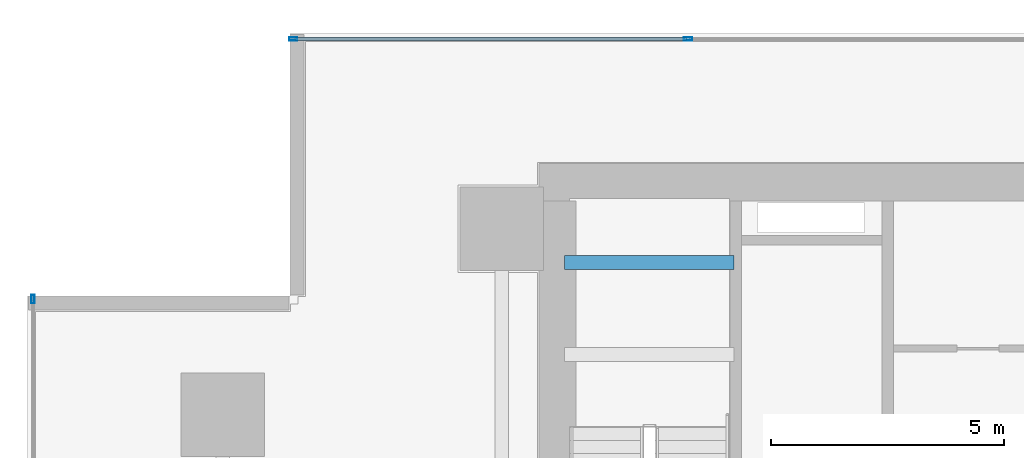
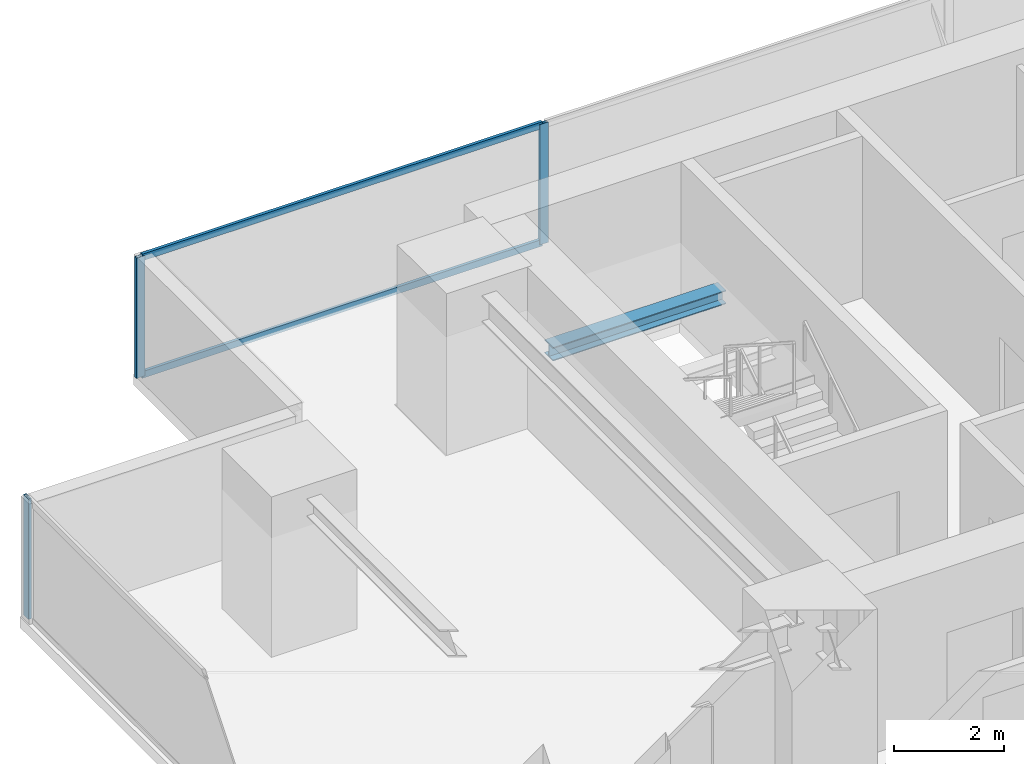
# One storey, part 18 of 33: 5 members, 1 beam, 2 elements without a shape of their own.
"""IFC4 building model written with IfcOpenShell, lengths in metres."""

from ifc_helpers import new_model, si_unit, direction, frame, origin, origin_2d, place, context, subcontext, project, spatial, hollow_rectangle, i_section, extrude, source, transform, mapped, material, layer, layer_set, material_profile, profile_set, type_object, element, aggregate, save


model = new_model("IFC4")

# Units and contexts
model_context = context("Model", 3, precision=1e-05, world=origin(), true_north=direction((0.0, 1.0)))
body_context = subcontext(model_context, "Body", "Model", "MODEL_VIEW")
ifc_project = project(units=[si_unit("LENGTHUNIT", "METRE"), si_unit("AREAUNIT", "SQUARE_METRE"), si_unit("VOLUMEUNIT", "CUBIC_METRE"), si_unit("PLANEANGLEUNIT", "RADIAN"), si_unit("MASSUNIT", "GRAM", prefix="KILO")], contexts=[model_context])

# Site, building, storey
site_placement = place(None, origin())
site = spatial("IfcSite", under=ifc_project, at=site_placement, CompositionType="ELEMENT")
building_placement = place(site_placement, origin())
building = spatial("IfcBuilding", under=site, at=building_placement, Name="Sumidabori Civic Tower", CompositionType="ELEMENT")
storey_placement = place(building_placement, frame((0.0, 0.0, 66.800048828125)))
storey = spatial("IfcBuildingStorey", under=building, at=storey_placement, Name="L17", CompositionType="ELEMENT", Elevation=66.800048828125)

# Beam
ifc_material_1 = material(Name="Steel SN490", Category="steel")
ifc_material_profile_1 = material_profile(ifc_material_1, i_section(OverallWidth=0.300048828125, OverallDepth=0.300048828125, WebThickness=0.010986328125, FlangeThickness=0.01904296875, at=origin_2d()), Name="HE 300 B")
ifc_profile_set_1 = profile_set([ifc_material_profile_1], Name="Steel SN490")
beam_type = type_object("IfcBeamType", Name="BM-LDG-300", PredefinedType="BEAM", material=ifc_profile_set_1)
shared_shape_1 = source(origin(), body_context, "Body", "SweptSolid", [
    extrude(i_section(OverallWidth=0.300048828125, OverallDepth=0.300048828125, WebThickness=0.010986328125, FlangeThickness=0.01904296875, at=origin_2d()), origin(), (0.0, 0.0, 1.0), 3.64990234375),
])
beam_placement = place(storey_placement, frame((-15.449951171875, 22.069580078125, 1.449951171875), z_axis=(1.0, 0.0, 0.0), x_axis=(0.0, 1.0, 0.0)))
element("IfcBeam", 1, at=beam_placement, inside=storey, type_object=beam_type, Name="Stair ST-1 Landing Trimmer Beam L17-1B", PredefinedType="BEAM", context=body_context, shape_type="MappedRepresentation", body=[
    mapped(shared_shape_1, transform((0.0, 0.0, 0.0), x_axis=(1.0, 0.0, 0.0), y_axis=(0.0, 1.0, 0.0), z_axis=(0.0, 0.0, 1.0), scale=1.0)),
])

# Curtain wall, members
ifc_material_2 = material(Name="Anodised Bronze Aluminium AW-6063-T6", Category="aluminium")
ifc_layer = layer(ifc_material_2, 0.179931640625, Name="Anodised Bronze Aluminium AW-6063-T6")
ifc_layer_set = layer_set([ifc_layer], Name="Anodised Bronze Aluminium AW-6063-T6")
curtain_wall_type = type_object("IfcCurtainWallType", Name="CW-SYS-2", PredefinedType="NOTDEFINED", material=ifc_layer_set)
curtain_wall_1_placement = place(storey_placement, origin())
curtain_wall_1 = element("IfcCurtainWall", 2, at=curtain_wall_1_placement, inside=storey, type_object=curtain_wall_type, Name="Curtain Wall CW:L17:R07", PredefinedType="NOTDEFINED")
ifc_material_profile_2 = material_profile(ifc_material_2, hollow_rectangle(XDim=0.06494140625, YDim=0.14990234375, WallThickness=0.0048828125, at=origin_2d()), Name="ALU TRANSOM 150x65")
ifc_profile_set_2 = profile_set([ifc_material_profile_2], Name="Anodised Bronze Aluminium AW-6063-T6")
member_type_1 = type_object("IfcMemberType", Name="CW-TRN-150", PredefinedType="USERDEFINED", material=ifc_profile_set_2)
shared_shape_2 = source(origin(), body_context, "Body", "SweptSolid", [
    extrude(hollow_rectangle(XDim=0.06494140625, YDim=0.14990234375, WallThickness=0.0048828125, at=origin_2d()), origin(), (0.0, 0.0, 1.0), 8.423095703125),
])
member_1_placement = place(storey_placement, frame((-12.826904296875, 26.8798828125, 0.032470703125), z_axis=(-1.0, 0.0, 0.0), x_axis=(0.0, -1.0, 0.0)))
member_1 = element("IfcMember", 3, at=member_1_placement, type_object=member_type_1, Name="CW-2 transom 5.1", ObjectType="TRANSOM", PredefinedType="USERDEFINED", context=body_context, shape_type="MappedRepresentation", body=[
    mapped(shared_shape_2, transform((0.0, 0.0, 0.0), x_axis=(1.0, 0.0, 0.0), y_axis=(0.0, 1.0, 0.0), z_axis=(0.0, 0.0, 1.0), scale=1.0)),
])
member_2_placement = place(storey_placement, frame((-12.826904296875, 26.8798828125, 2.6474609375), z_axis=(-1.0, 0.0, 0.0), x_axis=(0.0, -1.0, 0.0)))
member_2 = element("IfcMember", 4, at=member_2_placement, type_object=member_type_1, Name="CW-2 transom 5.2", ObjectType="TRANSOM", PredefinedType="USERDEFINED", context=body_context, shape_type="MappedRepresentation", body=[
    mapped(shared_shape_2, transform((0.0, 0.0, 0.0), x_axis=(1.0, 0.0, 0.0), y_axis=(0.0, 1.0, 0.0), z_axis=(0.0, 0.0, 1.0), scale=1.0)),
])
ifc_material_profile_3 = material_profile(ifc_material_2, hollow_rectangle(XDim=0.070068359375, YDim=0.179931640625, WallThickness=0.006103515625, at=origin_2d()), Name="ALU MULLION 180x70")
ifc_profile_set_3 = profile_set([ifc_material_profile_3], Name="Anodised Bronze Aluminium AW-6063-T6")
member_type_2 = type_object("IfcMemberType", Name="CW-MUL-180", PredefinedType="MULLION", material=ifc_profile_set_3)
shared_shape_3 = source(origin(), body_context, "Body", "SweptSolid", [
    extrude(hollow_rectangle(XDim=0.070068359375, YDim=0.179931640625, WallThickness=0.006103515625, at=origin_2d()), origin(), (0.0, 0.0, 1.0), 2.679931640625),
])
member_3_placement = place(storey_placement, frame((-12.7919921875, 26.8798828125, 0.0), z_axis=(0.0, 0.0, 1.0), x_axis=(0.0, -1.0, 0.0)))
member_3 = element("IfcMember", 5, at=member_3_placement, type_object=member_type_2, Name="CW-2 mullion 5", PredefinedType="MULLION", context=body_context, shape_type="MappedRepresentation", body=[
    mapped(shared_shape_3, transform((0.0, 0.0, 0.0), x_axis=(1.0, 0.0, 0.0), y_axis=(0.0, 1.0, 0.0), z_axis=(0.0, 0.0, 1.0), scale=1.0)),
])
member_4_placement = place(storey_placement, frame((-21.284912109375, 26.8798828125, 0.0), z_axis=(0.0, 0.0, 1.0), x_axis=(0.0, -1.0, 0.0)))
member_4 = element("IfcMember", 6, at=member_4_placement, type_object=member_type_2, Name="CW-2 mullion 6", PredefinedType="MULLION", context=body_context, shape_type="MappedRepresentation", body=[
    mapped(shared_shape_3, transform((0.0, 0.0, 0.0), x_axis=(1.0, 0.0, 0.0), y_axis=(0.0, 1.0, 0.0), z_axis=(0.0, 0.0, 1.0), scale=1.0)),
])
aggregate(curtain_wall_1, [member_3, member_4, member_1, member_2])

# Curtain wall, member
curtain_wall_2_placement = place(storey_placement, origin())
curtain_wall_2 = element("IfcCurtainWall", 7, at=curtain_wall_2_placement, inside=storey, type_object=curtain_wall_type, Name="Curtain Wall CW:L17:R10", PredefinedType="NOTDEFINED")
member_5_placement = place(storey_placement, frame((-26.8798828125, 21.284912109375, 0.0), z_axis=(0.0, 0.0, 1.0), x_axis=(1.0, 0.0, 0.0)))
member_5 = element("IfcMember", 8, at=member_5_placement, type_object=member_type_2, Name="CW-2 mullion 1", PredefinedType="MULLION", context=body_context, shape_type="MappedRepresentation", body=[
    mapped(shared_shape_3, transform((0.0, 0.0, 0.0), x_axis=(1.0, 0.0, 0.0), y_axis=(0.0, 1.0, 0.0), z_axis=(0.0, 0.0, 1.0), scale=1.0)),
])
aggregate(curtain_wall_2, [member_5])

save(model, "model.ifc")
